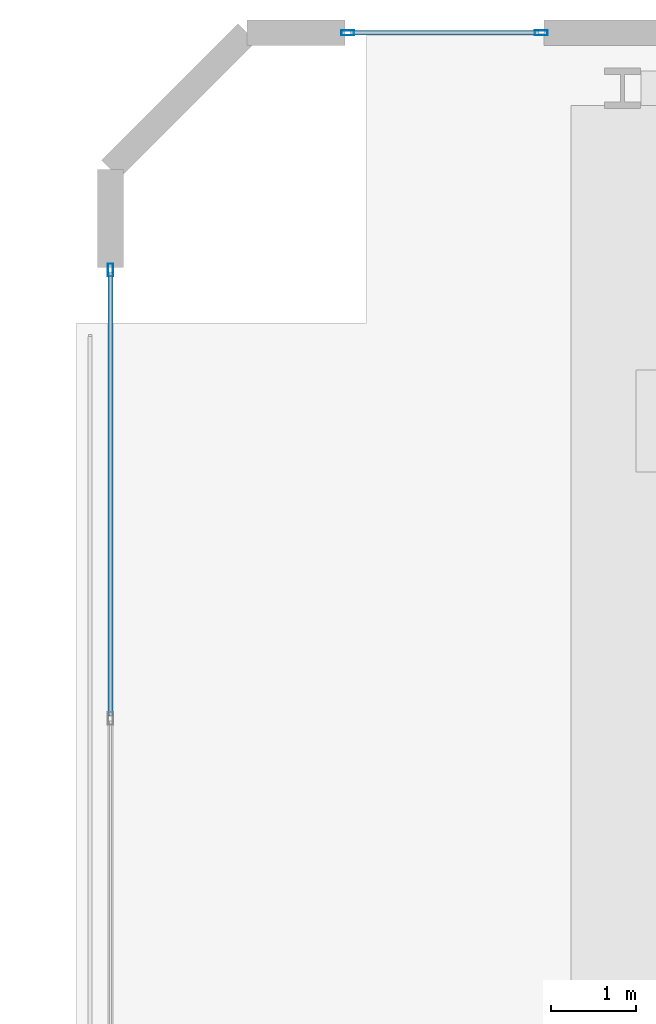
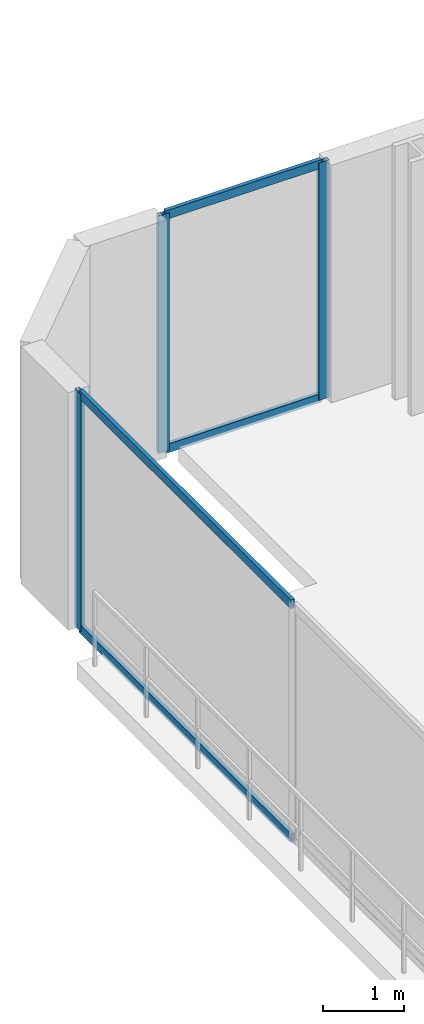
# One storey, part 16 of 27: 7 members, 2 elements without a shape of their own.
"""IFC4 building model written with IfcOpenShell, lengths in metres."""

from ifc_helpers import new_model, si_unit, direction, frame, origin, origin_2d, place, context, subcontext, project, spatial, hollow_rectangle, extrude, material, layer, layer_set, material_profile, profile_set, type_object, element, aggregate, save


model = new_model("IFC4")

# Units and contexts
model_context = context("Model", 3, precision=1e-05, world=origin(), true_north=direction((0.0, 1.0)))
body_context = subcontext(model_context, "Body", "Model", "MODEL_VIEW")
ifc_project = project(units=[si_unit("LENGTHUNIT", "METRE"), si_unit("AREAUNIT", "SQUARE_METRE"), si_unit("VOLUMEUNIT", "CUBIC_METRE"), si_unit("PLANEANGLEUNIT", "RADIAN"), si_unit("MASSUNIT", "GRAM", prefix="KILO")], contexts=[model_context])

# Site, building, storey
site_placement = place(None, origin())
site = spatial("IfcSite", under=ifc_project, at=site_placement, CompositionType="ELEMENT")
building_placement = place(site_placement, origin())
building = spatial("IfcBuilding", under=site, at=building_placement, Name="Zuhayl Quay Hotel", CompositionType="ELEMENT")
storey_placement = place(building_placement, frame((0.0, 0.0, 297.25)))
storey = spatial("IfcBuildingStorey", under=building, at=storey_placement, Name="Crown 1", CompositionType="ELEMENT", Elevation=297.25)

# Curtain wall, member
ifc_material_1 = material(Name="Anodised Aluminium 6063-T6", Category="aluminium")
ifc_layer = layer(ifc_material_1, 0.159912109375, Name="Anodised Aluminium 6063-T6", Category="aluminium")
ifc_layer_set = layer_set([ifc_layer], Name="Anodised Aluminium 6063-T6")
curtain_wall_type = type_object("IfcCurtainWallType", Name="CW_SYS_CRN", PredefinedType="USERDEFINED", material=ifc_layer_set)
curtain_wall_1_placement = place(storey_placement, origin())
curtain_wall_1 = element("IfcCurtainWall", 1, at=curtain_wall_1_placement, inside=storey, type_object=curtain_wall_type, Name="Crown 1 Curtain Wall ENV_CR1_E1_CW2", ObjectType="UNITISED CURTAIN WALL", PredefinedType="USERDEFINED")
ifc_material_2 = material(Name="Black-anodised aluminium 6063-T6", Category="aluminium")
ifc_material_profile_1 = material_profile(ifc_material_2, hollow_rectangle(XDim=0.06005859375, YDim=0.14990234375, WallThickness=0.00341796875, at=origin_2d()), Name="ALU150X60")
ifc_profile_set_1 = profile_set([ifc_material_profile_1], Name="Black-anodised aluminium 6063-T6")
member_type_1 = type_object("IfcMemberType", Name="MB_CW_MUL_150", PredefinedType="MULLION", material=ifc_profile_set_1)
member_1_placement = place(storey_placement, frame((-19.800048828125, 36.219970703125, 0.0), z_axis=(0.0, 0.0, 1.0), x_axis=(-1.0, 0.0, 0.0)))
member_1 = element("IfcMember", 2, at=member_1_placement, type_object=member_type_1, Name="CW-CRN mullion 5", PredefinedType="MULLION", context=body_context, shape_type="SweptSolid", body=[
    extrude(hollow_rectangle(XDim=0.06005859375, YDim=0.14990234375, WallThickness=0.00341796875, at=origin_2d()), origin(), (0.0, 0.0, 1.0), 3.56005859375),
])

# Curtain wall, members
curtain_wall_2_placement = place(storey_placement, origin())
curtain_wall_2 = element("IfcCurtainWall", 3, at=curtain_wall_2_placement, inside=storey, type_object=curtain_wall_type, Name="Crown 1 Curtain Wall ENV_CR1_E3_CW1", ObjectType="UNITISED CURTAIN WALL", PredefinedType="USERDEFINED")
member_2_placement = place(storey_placement, frame((-17.02001953125, 39.0, 0.0), z_axis=(0.0, 0.0, 1.0), x_axis=(0.0, 1.0, 0.0)))
member_2 = element("IfcMember", 4, at=member_2_placement, type_object=member_type_1, Name="CW-CRN mullion 1", PredefinedType="MULLION", context=body_context, shape_type="SweptSolid", body=[
    extrude(hollow_rectangle(XDim=0.06005859375, YDim=0.14990234375, WallThickness=0.00341796875, at=origin_2d()), origin(), (0.0, 0.0, 1.0), 3.56005859375),
])
member_3_placement = place(storey_placement, frame((-14.75, 39.0, 0.0), z_axis=(0.0, 0.0, 1.0), x_axis=(0.0, 1.0, 0.0)))
member_3 = element("IfcMember", 5, at=member_3_placement, type_object=member_type_1, Name="CW-CRN mullion 2", PredefinedType="MULLION", context=body_context, shape_type="SweptSolid", body=[
    extrude(hollow_rectangle(XDim=0.06005859375, YDim=0.14990234375, WallThickness=0.00341796875, at=origin_2d()), origin(), (0.0, 0.0, 1.0), 3.56005859375),
])

# Member
ifc_material_profile_2 = material_profile(ifc_material_2, hollow_rectangle(XDim=0.054931640625, YDim=0.1298828125, WallThickness=0.0029296875, at=origin_2d()), Name="ALU130X55")
ifc_profile_set_2 = profile_set([ifc_material_profile_2], Name="Black-anodised aluminium 6063-T6")
member_type_2 = type_object("IfcMemberType", Name="MB_CW_TRN_130", PredefinedType="USERDEFINED", material=ifc_profile_set_2)
member_4_placement = place(storey_placement, frame((-19.800048828125, 30.992431640625, 0.027587890625), z_axis=(0.0, 1.0, 0.0), x_axis=(-1.0, 0.0, 0.0)))
member_4 = element("IfcMember", 6, at=member_4_placement, type_object=member_type_2, Name="CW-CRN transom 4.1", ObjectType="TRANSOM", PredefinedType="USERDEFINED", context=body_context, shape_type="SweptSolid", body=[
    extrude(hollow_rectangle(XDim=0.054931640625, YDim=0.1298828125, WallThickness=0.0029296875, at=origin_2d()), origin(), (0.0, 0.0, 1.0), 5.197509765625),
])

member_5_placement = place(storey_placement, frame((-19.800048828125, 30.992431640625, 3.532470703125), z_axis=(0.0, 1.0, 0.0), x_axis=(-1.0, 0.0, 0.0)))
member_5 = element("IfcMember", 7, at=member_5_placement, type_object=member_type_2, Name="CW-CRN transom 4.2", ObjectType="TRANSOM", PredefinedType="USERDEFINED", context=body_context, shape_type="SweptSolid", body=[
    extrude(hollow_rectangle(XDim=0.054931640625, YDim=0.1298828125, WallThickness=0.0029296875, at=origin_2d()), origin(), (0.0, 0.0, 1.0), 5.197509765625),
])

aggregate(curtain_wall_1, [member_1, member_4, member_5])

member_6_placement = place(storey_placement, frame((-16.989990234375, 39.0, 0.027587890625), z_axis=(1.0, 0.0, 0.0), x_axis=(0.0, 1.0, 0.0)))
member_6 = element("IfcMember", 8, at=member_6_placement, type_object=member_type_2, Name="CW-CRN transom 1.1", ObjectType="TRANSOM", PredefinedType="USERDEFINED", context=body_context, shape_type="SweptSolid", body=[
    extrude(hollow_rectangle(XDim=0.054931640625, YDim=0.1298828125, WallThickness=0.0029296875, at=origin_2d()), origin(), (0.0, 0.0, 1.0), 2.2099609375),
])

member_7_placement = place(storey_placement, frame((-16.989990234375, 39.0, 3.532470703125), z_axis=(1.0, 0.0, 0.0), x_axis=(0.0, 1.0, 0.0)))
member_7 = element("IfcMember", 9, at=member_7_placement, type_object=member_type_2, Name="CW-CRN transom 1.2", ObjectType="TRANSOM", PredefinedType="USERDEFINED", context=body_context, shape_type="SweptSolid", body=[
    extrude(hollow_rectangle(XDim=0.054931640625, YDim=0.1298828125, WallThickness=0.0029296875, at=origin_2d()), origin(), (0.0, 0.0, 1.0), 2.2099609375),
])

aggregate(curtain_wall_2, [member_2, member_3, member_6, member_7])

save(model, "model.ifc")
